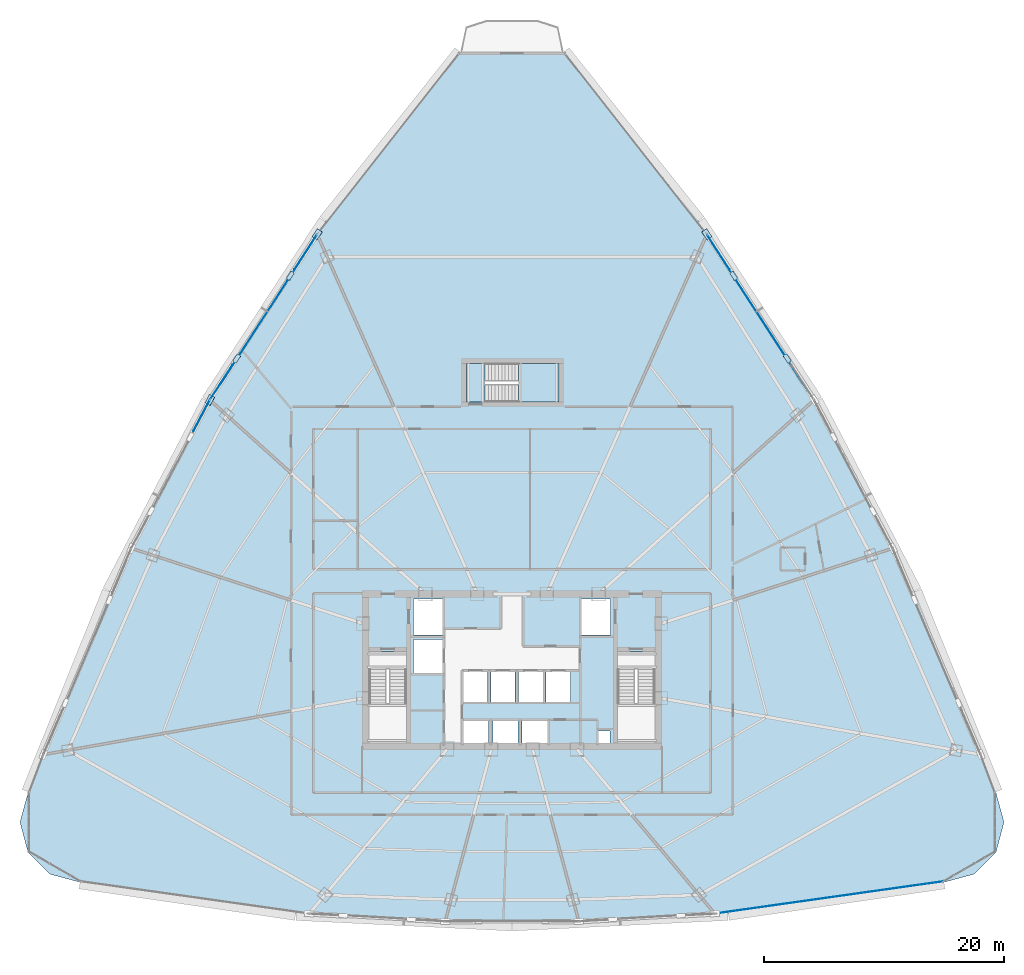
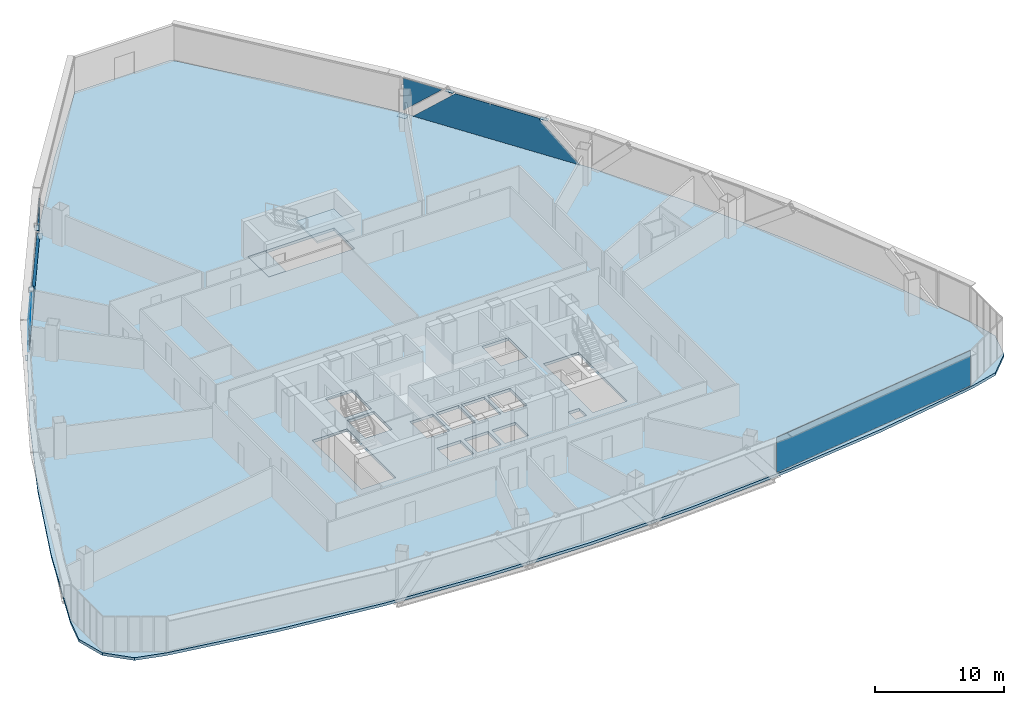
# One storey, part 32 of 42: 14 plates, 3 slabs, 5 elements without a shape of their own.
"""IFC4 building model written with IfcOpenShell, lengths in metres."""

from ifc_helpers import new_model, si_unit, direction, frame, origin, origin_2d, place, context, subcontext, project, spatial, polyline, rectangle, outline, extrude, source, transform, mapped, material, layer, layer_set, type_object, element, aggregate, save


model = new_model("IFC4")

# Units and contexts
model_context = context("Model", 3, precision=1e-05, world=origin(), true_north=direction((0.0, 1.0)))
body_context = subcontext(model_context, "Body", "Model", "MODEL_VIEW")
ifc_project = project(units=[si_unit("LENGTHUNIT", "METRE"), si_unit("AREAUNIT", "SQUARE_METRE"), si_unit("VOLUMEUNIT", "CUBIC_METRE"), si_unit("PLANEANGLEUNIT", "RADIAN"), si_unit("MASSUNIT", "GRAM", prefix="KILO"), si_unit("THERMODYNAMICTEMPERATUREUNIT", "KELVIN"), si_unit("POWERUNIT", "WATT")], contexts=[model_context])

# Site, building, storey
site_placement = place(None, origin())
site = spatial("IfcSite", under=ifc_project, at=site_placement, CompositionType="ELEMENT")
building_placement = place(site_placement, origin())
building = spatial("IfcBuilding", under=site, at=building_placement, Name="Yunzhuo Pagoda Commons", CompositionType="ELEMENT")
storey_placement = place(building_placement, frame((0.0, 0.0, 129.830078125)))
storey = spatial("IfcBuildingStorey", under=building, at=storey_placement, Name="L32", CompositionType="ELEMENT", Elevation=129.830078125)

# Curtain wall, plates
ifc_material_1 = material(Name="Anodized aluminium 6063-T6", Category="aluminium")
ifc_layer_1 = layer(ifc_material_1, 0.14990234375)
ifc_layer_set_1 = layer_set([ifc_layer_1], Name="Anodized aluminium 6063-T6")
curtain_wall_type = type_object("IfcCurtainWallType", Name="CW-MID Mid-Zone Ribbon Curtain Wall", PredefinedType="NOTDEFINED", material=ifc_layer_set_1)
curtain_wall_1_placement = place(storey_placement, origin())
curtain_wall_1 = element("IfcCurtainWall", 1, at=curtain_wall_1_placement, inside=storey, type_object=curtain_wall_type, Name="L32 curtain wall CW-L32-F2B4", PredefinedType="NOTDEFINED")
ifc_material_2 = material(Name="Tempered low-e double glazing", Category="glass")
ifc_layer_2 = layer(ifc_material_2, 0.028076171875)
ifc_layer_set_2 = layer_set([ifc_layer_2], Name="Tempered low-e double glazing")
plate_type_1 = type_object("IfcPlateType", Name="CW-MID-P Low-E Double Glazing 28", PredefinedType="CURTAIN_PANEL", material=ifc_layer_set_2)
plate_1_placement = place(storey_placement, frame((68.66748046875, 63.2412109375, 1.7099609375), z_axis=(0.839249165596, 0.543747034977, 0.0), x_axis=(-0.543747034977, 0.839249165596, 0.0)))
plate_1 = element("IfcPlate", 2, at=plate_1_placement, type_object=plate_type_1, Name="CW panel 1.1 lite 2", PredefinedType="CURTAIN_PANEL", context=body_context, shape_type="SweptSolid", body=[
    extrude(outline(polyline([(-7.29833984375, -1.655029296875), (7.29833984375, -1.655029296875), (3.601806640625, 1.655029296875), (-3.601806640625, 1.655029296875), (-7.29833984375, -1.655029296875)])), origin(), (0.0, 0.0, 1.0), 0.028076171875),
])
plate_2_placement = place(storey_placement, frame((65.18505859375, 68.671142578125, 1.834228515625), z_axis=(0.839249165596, 0.543747034977, 0.0), x_axis=(-0.543747034977, 0.839249165596, 0.0)))
plate_2 = element("IfcPlate", 3, at=plate_2_placement, type_object=plate_type_1, Name="CW panel 1.1 lite 3", PredefinedType="CURTAIN_PANEL", context=body_context, shape_type="SweptSolid", body=[
    extrude(outline(polyline([(-1.70947265625, 1.530517578125), (1.70947265625, -1.530517578125), (1.70947265625, 1.530517578125), (-1.70947265625, 1.530517578125)])), origin(), (0.0, 0.0, 1.0), 0.028076171875),
])
aggregate(curtain_wall_1, [plate_1, plate_2])

curtain_wall_2_placement = place(storey_placement, origin())
curtain_wall_2 = element("IfcCurtainWall", 4, at=curtain_wall_2_placement, inside=storey, type_object=curtain_wall_type, Name="L32 curtain wall CW-L32-F3B2", PredefinedType="NOTDEFINED")
plate_3_placement = place(storey_placement, frame((30.81494140625, 68.671142578125, 1.834228515625), z_axis=(-0.839249165596, 0.543747034977, 0.0), x_axis=(-0.543747034977, -0.839249165596, 0.0)))
plate_3 = element("IfcPlate", 5, at=plate_3_placement, type_object=plate_type_1, Name="CW panel 1.1 lite 1", PredefinedType="CURTAIN_PANEL", context=body_context, shape_type="SweptSolid", body=[
    extrude(outline(polyline([(-1.70947265625, -1.530517578125), (1.70947265625, 1.530517578125), (-1.70947265625, 1.530517578125), (-1.70947265625, -1.530517578125)])), origin(), (0.0, 0.0, 1.0), 0.028076171875),
])
plate_4_placement = place(storey_placement, frame((27.33251953125, 63.2412109375, 1.7099609375), z_axis=(-0.839249165596, 0.543747034977, 0.0), x_axis=(-0.543747034977, -0.839249165596, 0.0)))
plate_4 = element("IfcPlate", 6, at=plate_4_placement, type_object=plate_type_1, Name="CW panel 1.1 lite 2", PredefinedType="CURTAIN_PANEL", context=body_context, shape_type="SweptSolid", body=[
    extrude(outline(polyline([(-7.29833984375, -1.655029296875), (7.29833984375, -1.655029296875), (3.601806640625, 1.655029296875), (-3.601806640625, 1.655029296875), (-7.29833984375, -1.655029296875)])), origin(), (0.0, 0.0, 1.0), 0.028076171875),
])
plate_5_placement = place(storey_placement, frame((23.800048828125, 57.843994140625, 1.834228515625), z_axis=(-0.839249165596, 0.543747034977, 0.0), x_axis=(-0.543747034977, -0.839249165596, 0.0)))
plate_5 = element("IfcPlate", 7, at=plate_5_placement, type_object=plate_type_1, Name="CW panel 1.1 lite 3", PredefinedType="CURTAIN_PANEL", context=body_context, shape_type="SweptSolid", body=[
    extrude(outline(polyline([(-1.70947265625, 1.530517578125), (1.70947265625, -1.530517578125), (1.70947265625, 1.530517578125), (-1.70947265625, 1.530517578125)])), origin(), (0.0, 0.0, 1.0), 0.028076171875),
])
aggregate(curtain_wall_2, [plate_3, plate_4, plate_5])

# Curtain wall, plate
curtain_wall_3_placement = place(storey_placement, origin())
curtain_wall_3 = element("IfcCurtainWall", 8, at=curtain_wall_3_placement, inside=storey, type_object=curtain_wall_type, Name="L32 curtain wall CW-L32-F3B3", PredefinedType="NOTDEFINED")
plate_6_placement = place(storey_placement, frame((22.14111328125, 55.043212890625, 1.85986328125), z_axis=(-0.883694161172, 0.468064770635, 0.0), x_axis=(-0.468064770635, -0.883694161172, 0.0)))
plate_6 = element("IfcPlate", 9, at=plate_6_placement, type_object=plate_type_1, Name="CW panel 1.1 lite 1", PredefinedType="CURTAIN_PANEL", context=body_context, shape_type="SweptSolid", body=[
    extrude(outline(polyline([(-1.43017578125, -1.505126953125), (1.43017578125, 1.505126953125), (-1.43017578125, 1.505126953125), (-1.43017578125, -1.505126953125)])), origin(), (0.0, 0.0, 1.0), 0.028076171875),
])
aggregate(curtain_wall_3, [plate_6])

# Stair, slabs
ifc_material_3 = material(Name="Concrete C40", Category="concrete")
stair_type = type_object("IfcStairType", Name="ST-C3 North Tower Smokeproof Stair ST3", PredefinedType="HALF_TURN_STAIR", material=ifc_material_3)
stair_placement = place(storey_placement, origin())
stair = element("IfcStair", 10, at=stair_placement, inside=storey, type_object=stair_type, Name="L32 North tower smokeproof stair ST3", PredefinedType="HALF_TURN_STAIR")
ifc_layer_3 = layer(ifc_material_3, 0.2041015625)
ifc_layer_set_3 = layer_set([ifc_layer_3], Name="Concrete C40")
slab_type_1 = type_object("IfcSlabType", Name="SL-LND5 North Landing Slab 204", PredefinedType="LANDING", material=ifc_layer_set_3)
slab_1_placement = place(storey_placement, frame((0.0, 0.0, 1.639892578125)))
slab_1 = element("IfcSlab", 11, at=slab_1_placement, type_object=slab_type_1, Name="ST3 landing 1", PredefinedType="LANDING", context=body_context, shape_type="SweptSolid", body=[
    extrude(outline(polyline([(48.550048828125, 56.199951171875), (51.89990234375, 56.199951171875), (51.89990234375, 59.39990234375), (48.550048828125, 59.39990234375), (48.550048828125, 56.199951171875)])), origin(), (0.0, 0.0, 1.0), 0.199951171875),
])
slab_2_placement = place(storey_placement, frame((0.0, 0.0, -0.2001953125)))
slab_2 = element("IfcSlab", 12, at=slab_2_placement, type_object=slab_type_1, Name="ST3 floor landing L32", PredefinedType="LANDING", context=body_context, shape_type="SweptSolid", body=[
    extrude(outline(polyline([(44.199951171875, 56.199951171875), (45.75, 56.199951171875), (45.75, 59.39990234375), (44.199951171875, 59.39990234375), (44.199951171875, 56.199951171875)])), origin(), (0.0, 0.0, 1.0), 0.2001953125),
])
aggregate(stair, [slab_1, slab_2])

# Slab
ifc_layer_4 = layer(ifc_material_3, 0.260009765625)
ifc_layer_set_4 = layer_set([ifc_layer_4], Name="Concrete C40")
slab_type_2 = type_object("IfcSlabType", Name="SL-TWR Typical Tower Floor Slab 260", PredefinedType="FLOOR", material=ifc_layer_set_4)
slab_3_placement = place(storey_placement, frame((0.0, 0.0, -0.260009765625)))
element("IfcSlab", 13, at=slab_3_placement, inside=storey, type_object=slab_type_2, Name="L32 structural floor slab", PredefinedType="FLOOR", context=body_context, shape_type="SweptSolid", body=[
    extrude(outline(polyline([(10.864013671875, 32.16552734375), (14.41943359375, 40.42919921875), (18.353515625, 48.47216796875), (22.665771484375, 56.294189453125), (27.3564453125, 63.895263671875), (32.425537109375, 71.275390625), (37.872802734375, 78.434814453125), (43.69873046875, 85.37353515625), (52.30126953125, 85.37353515625), (58.127197265625, 78.434814453125), (63.574462890625, 71.275390625), (68.6435546875, 63.895263671875), (73.334228515625, 56.294189453125), (77.646484375, 48.47216796875), (81.58056640625, 40.42919921875), (85.135986328125, 32.16552734375), (88.3134765625, 23.680908203125), (88.99267578125, 21.18798828125), (88.331298828125, 18.690185546875), (86.507568359375, 16.85986328125), (84.01220703125, 16.189697265625), (75.009033203125, 14.65625), (66.006103515625, 13.56103515625), (57.0029296875, 12.90380859375), (48.0, 12.684814453125), (38.9970703125, 12.90380859375), (29.993896484375, 13.56103515625), (20.990966796875, 14.65625), (11.98779296875, 16.189697265625), (9.492431640625, 16.85986328125), (7.668701171875, 18.690185546875), (7.00732421875, 21.18798828125), (7.6865234375, 23.680908203125), (10.864013671875, 32.16552734375)]), holes=[polyline([(46.050048828125, 29.64990234375), (43.949951171875, 29.64990234375), (43.949951171875, 27.60009765625), (46.050048828125, 27.60009765625), (46.050048828125, 29.64990234375)]), polyline([(48.5, 27.60009765625), (48.5, 29.64990234375), (46.39990234375, 29.64990234375), (46.39990234375, 27.60009765625), (48.5, 27.60009765625)]), polyline([(36.10009765625, 27.800048828125), (39.199951171875, 27.800048828125), (39.199951171875, 35.39990234375), (36.10009765625, 35.39990234375), (36.10009765625, 27.800048828125)]), polyline([(45.969970703125, 31.199951171875), (45.969970703125, 33.800048828125), (43.929931640625, 33.800048828125), (43.929931640625, 31.199951171875), (45.969970703125, 31.199951171875)]), polyline([(48.27001953125, 31.199951171875), (48.27001953125, 33.800048828125), (46.22998046875, 33.800048828125), (46.22998046875, 31.199951171875), (48.27001953125, 31.199951171875)]), polyline([(42.199951171875, 33.60009765625), (42.199951171875, 36.39990234375), (39.800048828125, 36.39990234375), (39.800048828125, 33.60009765625), (42.199951171875, 33.60009765625)]), polyline([(42.199951171875, 36.800048828125), (42.199951171875, 39.800048828125), (39.800048828125, 39.800048828125), (39.800048828125, 36.800048828125), (42.199951171875, 36.800048828125)]), polyline([(56.179931640625, 28.800048828125), (55.179931640625, 28.800048828125), (55.179931640625, 27.699951171875), (56.179931640625, 27.699951171875), (56.179931640625, 28.800048828125)]), polyline([(50.949951171875, 27.60009765625), (50.949951171875, 29.64990234375), (48.85009765625, 29.64990234375), (48.85009765625, 27.60009765625), (50.949951171875, 27.60009765625)]), polyline([(56.800048828125, 27.800048828125), (59.89990234375, 27.800048828125), (59.89990234375, 35.39990234375), (56.800048828125, 35.39990234375), (56.800048828125, 27.800048828125)]), polyline([(50.570068359375, 31.199951171875), (50.570068359375, 33.800048828125), (48.530029296875, 33.800048828125), (48.530029296875, 31.199951171875), (50.570068359375, 31.199951171875)]), polyline([(52.8701171875, 31.199951171875), (52.8701171875, 33.800048828125), (50.830078125, 33.800048828125), (50.830078125, 31.199951171875), (52.8701171875, 31.199951171875)]), polyline([(56.199951171875, 36.800048828125), (56.199951171875, 39.800048828125), (53.800048828125, 39.800048828125), (53.800048828125, 36.800048828125), (56.199951171875, 36.800048828125)]), polyline([(51.89990234375, 56.199951171875), (51.89990234375, 59.39990234375), (44.199951171875, 59.39990234375), (44.199951171875, 56.199951171875), (51.89990234375, 56.199951171875)])]), origin(), (0.0, 0.0, 1.0), 0.260009765625),
])

# Plates
ifc_material_4 = material(Name="Structural steel Q355B", Category="steel")
ifc_layer_5 = layer(ifc_material_4, 0.028076171875)
ifc_layer_set_5 = layer_set([ifc_layer_5], Name="Structural steel Q355B")
plate_type_2 = type_object("IfcPlateType", Name="SP-ND1 Lattice Node Cap Plate 800x500x28", PredefinedType="USERDEFINED", material=ifc_layer_set_5)
shared_shape_1 = source(origin(), body_context, "Body", "SweptSolid", [
    extrude(rectangle(XDim=0.800048828125, YDim=0.5, at=origin_2d()), origin(), (0.0, 0.0, 1.0), 0.028076171875),
])
for number, where, z_axis, x_axis, name in (
    (14, (64.234619140625, 70.163818359375, -0.27392578125), (0.0, 0.0, 1.0), (-0.543745835187, 0.839249942935, 0.0), "L32 diamond node plate F2.3B"),
    (15, (31.765380859375, 70.163818359375, -0.27392578125), (0.0, 0.0, 1.0), (-0.543745835187, -0.839249942935, 0.0), "L32 diamond node plate F3.1A"),
    (16, (22.826171875, 56.36669921875, -0.27392578125), (0.0, 0.0, 1.0), (-0.468068630068, -0.883692116943, 0.0), "L32 diamond node plate F3.2A"),
):
    element("IfcPlate", number, at=place(storey_placement, frame(where, z_axis=z_axis, x_axis=x_axis)), inside=storey, type_object=plate_type_2, Name=name, ObjectType="STIFFENER_PLATE", PredefinedType="USERDEFINED", context=body_context, shape_type="MappedRepresentation", body=[
        mapped(shared_shape_1, transform((0.0, 0.0, 0.0), scale=1.0)),
    ])
shared_shape_2 = source(origin(), body_context, "Body", "SweptSolid", [
    extrude(rectangle(XDim=0.699951171875, YDim=0.35009765625, at=origin_2d()), origin(), (0.0, 0.0, 1.0), 0.035888671875),
])
for number, where, z_axis, x_axis, name in (
    (17, (70.93896484375, 59.81591796875, 3.3818359375), (0.0, 0.0, 1.0), (-0.543745835187, 0.839249942935, 0.0), "L32 setback lattice tie plate F2.3L"),
    (18, (66.469482421875, 66.71435546875, 3.3818359375), (0.0, 0.0, 1.0), (-0.543745835187, 0.839249942935, 0.0), "L32 setback lattice tie plate F2.3R"),
    (19, (29.530517578125, 66.71435546875, 3.3818359375), (0.0, 0.0, 1.0), (-0.543745835187, -0.839249942935, 0.0), "L32 setback lattice tie plate F3.1L"),
    (20, (25.06103515625, 59.81591796875, 3.3818359375), (0.0, 0.0, 1.0), (-0.543745835187, -0.839249942935, 0.0), "L32 setback lattice tie plate F3.1R"),
):
    element("IfcPlate", number, at=place(storey_placement, frame(where, z_axis=z_axis, x_axis=x_axis)), inside=storey, type_object=plate_type_2, Name=name, ObjectType="STIFFENER_PLATE", PredefinedType="USERDEFINED", context=body_context, shape_type="MappedRepresentation", body=[
        mapped(shared_shape_2, transform((0.0, 0.0, 0.0), scale=1.0)),
    ])

# Curtain wall, plate
curtain_wall_4_placement = place(storey_placement, origin())
curtain_wall_4 = element("IfcCurtainWall", 21, at=curtain_wall_4_placement, inside=storey, type_object=curtain_wall_type, Name="L32 curtain wall CW-L32-F1B5", PredefinedType="NOTDEFINED")
shared_shape_3 = source(origin(), body_context, "Body", "SweptSolid", [
    extrude(rectangle(XDim=19.068359375, YDim=0.028076171875, at=origin_2d()), origin(), (0.0, 0.0, 1.0), 3.31005859375),
])
plate_7_placement = place(storey_placement, frame((74.472412109375, 14.915283203125, 0.054931640625), z_axis=(0.0, 0.0, 1.0), x_axis=(0.990147694104, 0.140026939768, 0.0)))
plate_7 = element("IfcPlate", 22, at=plate_7_placement, type_object=plate_type_1, Name="CW panel 1.1", PredefinedType="CURTAIN_PANEL", context=body_context, shape_type="MappedRepresentation", body=[
    mapped(shared_shape_3, transform((0.0, 0.0, 0.0), scale=1.0)),
])
aggregate(curtain_wall_4, [plate_7])

save(model, "model.ifc")
